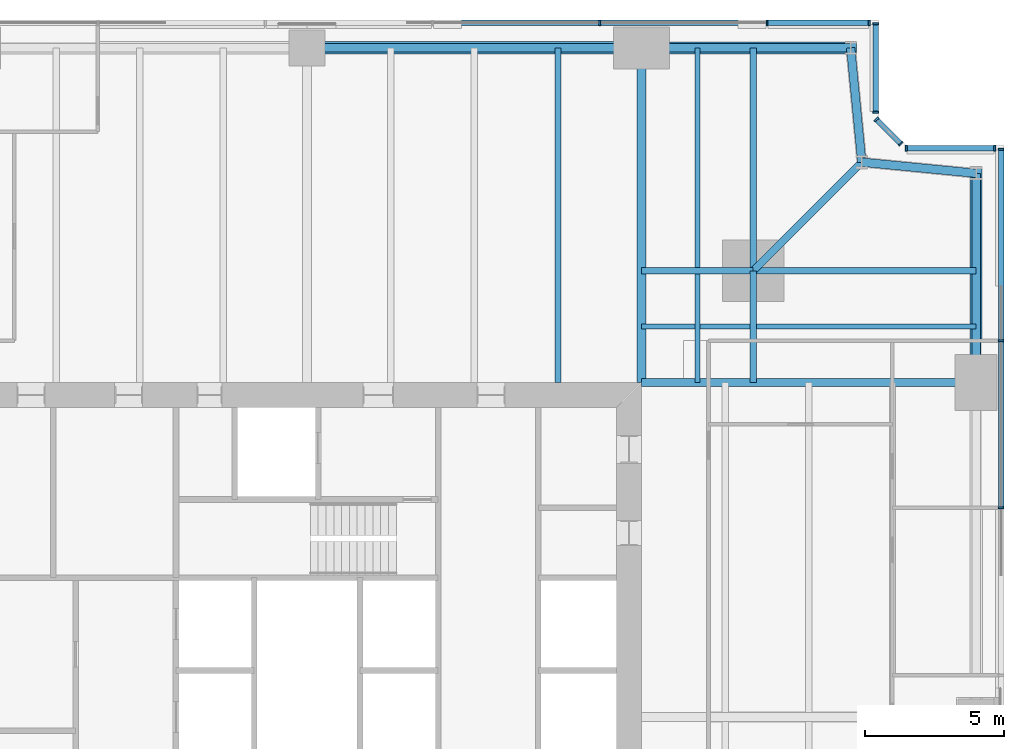
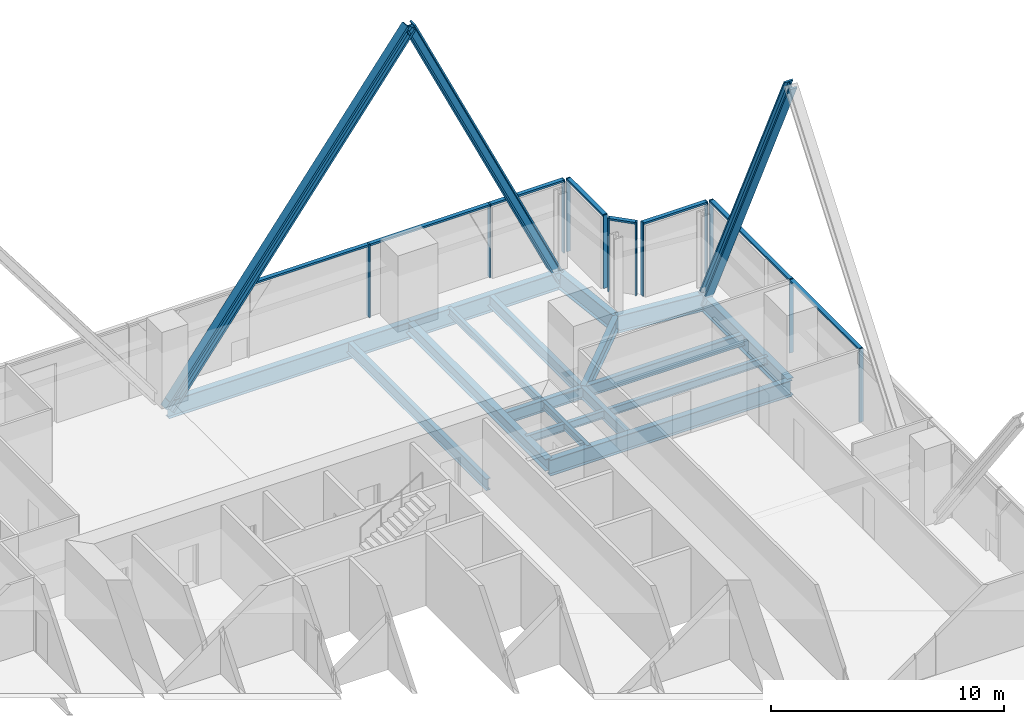
# One storey, part 7 of 13: 23 members, 18 beams, 5 elements without a shape of their own.
"""IFC4 building model written with IfcOpenShell, lengths in metres."""

from ifc_helpers import new_model, si_unit, direction, frame, origin, origin_2d, place, context, subcontext, project, spatial, rectangle, i_section, extrude, material, material_profile, profile_set, type_object, element, aggregate, save


model = new_model("IFC4")

# Units and contexts
model_context = context("Model", 3, precision=1e-05, world=origin(), true_north=direction((0.0, 1.0)))
body_context = subcontext(model_context, "Body", "Model", "MODEL_VIEW")
ifc_project = project(units=[si_unit("LENGTHUNIT", "METRE"), si_unit("AREAUNIT", "SQUARE_METRE"), si_unit("VOLUMEUNIT", "CUBIC_METRE"), si_unit("PLANEANGLEUNIT", "RADIAN"), si_unit("MASSUNIT", "GRAM", prefix="KILO")], contexts=[model_context])

# Site, building, storey
site_placement = place(None, origin())
site = spatial("IfcSite", under=ifc_project, at=site_placement, CompositionType="ELEMENT")
building_placement = place(site_placement, origin())
building = spatial("IfcBuilding", under=site, at=building_placement, Name="Fenwick Lantern Interchange", CompositionType="ELEMENT")
storey_placement = place(building_placement, frame((0.0, 0.0, 146.39990234375)))
storey = spatial("IfcBuildingStorey", under=building, at=storey_placement, Name="L34", CompositionType="ELEMENT", Elevation=146.39990234375)

# Beams
ifc_material_1 = material(Name="Steel ASTM A992 Grade 50", Category="steel")
ifc_material_profile_1 = material_profile(ifc_material_1, i_section(OverallWidth=0.3046875, OverallDepth=0.911865234375, WebThickness=0.015869140625, FlangeThickness=0.02392578125, at=origin_2d()), Name="W36X150")
ifc_profile_set_1 = profile_set([ifc_material_profile_1], Name="Steel ASTM A992 Grade 50")
beam_type_1 = type_object("IfcBeamType", Name="EDGE BEAM W36X150", PredefinedType="SPANDREL", material=ifc_profile_set_1)
beam_1_placement = place(storey_placement, frame((49.0, 37.0, -0.605712890625), z_axis=(0.0, 1.0, 0.0), x_axis=(-1.0, 0.0, 0.0)))
element("IfcBeam", 1, at=beam_1_placement, inside=storey, type_object=beam_type_1, Name="L34/FR/E/EB4", PredefinedType="SPANDREL", context=body_context, shape_type="SweptSolid", body=[
    extrude(i_section(OverallWidth=0.3046875, OverallDepth=0.911865234375, WebThickness=0.015869140625, FlangeThickness=0.02392578125, at=origin_2d()), origin(), (0.0, 0.0, 1.0), 7.5),
])
for number, where, z_axis, x_axis, name in (
    (2, (49.0, 44.5, -0.605712890625), (-0.995277148028, 0.097074191287, 0.0), (-0.097074191287, -0.995277148028, 0.0), "L34/FR/E/EBR1"),
    (3, (44.89990234375, 44.89990234375, -0.605712890625), (-0.097074191287, 0.995277148028, 0.0), (-0.995277148028, -0.097074191287, 0.0), "L34/FR/E/EBR2"),
):
    element("IfcBeam", number, at=place(storey_placement, frame(where, z_axis=z_axis, x_axis=x_axis)), inside=storey, type_object=beam_type_1, Name=name, PredefinedType="SPANDREL", context=body_context, shape_type="SweptSolid", body=[
        extrude(i_section(OverallWidth=0.3046875, OverallDepth=0.911865234375, WebThickness=0.015869140625, FlangeThickness=0.02392578125, at=origin_2d()), origin(), (0.0, 0.0, 1.0), 4.11962890625),
    ])
beam_2_placement = place(storey_placement, frame((44.5, 49.0, -0.605712890625), z_axis=(-1.0, 0.0, 0.0), x_axis=(0.0, -1.0, 0.0)))
element("IfcBeam", 4, at=beam_2_placement, inside=storey, type_object=beam_type_1, Name="L34/FR/N/EB1", PredefinedType="SPANDREL", context=body_context, shape_type="SweptSolid", body=[
    extrude(i_section(OverallWidth=0.3046875, OverallDepth=0.911865234375, WebThickness=0.015869140625, FlangeThickness=0.02392578125, at=origin_2d()), origin(), (0.0, 0.0, 1.0), 7.5),
])
beam_3_placement = place(storey_placement, frame((37.0, 49.0, -0.605712890625), z_axis=(-1.0, 0.0, 0.0), x_axis=(0.0, -1.0, 0.0)))
element("IfcBeam", 5, at=beam_3_placement, inside=storey, type_object=beam_type_1, Name="L34/FR/N/EB2", PredefinedType="SPANDREL", context=body_context, shape_type="SweptSolid", body=[
    extrude(i_section(OverallWidth=0.3046875, OverallDepth=0.911865234375, WebThickness=0.015869140625, FlangeThickness=0.02392578125, at=origin_2d()), origin(), (0.0, 0.0, 1.0), 12.0),
])

# Members
ifc_material_profile_2 = material_profile(ifc_material_1, i_section(OverallWidth=0.424072265625, OverallDepth=0.47509765625, WebThickness=0.0478515625, FlangeThickness=0.0771484375, at=origin_2d()), Name="W14X426")
ifc_profile_set_2 = profile_set([ifc_material_profile_2], Name="Steel ASTM A992 Grade 50")
member_type_1 = type_object("IfcMemberType", Name="FACADE BRACE W14X426", PredefinedType="BRACE", material=ifc_profile_set_2)
for number, where, z_axis, x_axis, name in (
    (6, (49.0, 44.5, -0.605712890625), (0.0, -0.426947906428, 0.904276221736), (1.0, 0.0, 0.0), "L34/FB/E/BE"),
    (7, (44.5, 49.0, -0.605712890625), (-0.426947906428, 0.0, 0.904276221736), (0.0, -1.0, 0.0), "L34/FB/N/AE"),
):
    element("IfcMember", number, at=place(storey_placement, frame(where, z_axis=z_axis, x_axis=x_axis)), inside=storey, type_object=member_type_1, Name=name, PredefinedType="BRACE", context=body_context, shape_type="SweptSolid", body=[
        extrude(i_section(OverallWidth=0.424072265625, OverallDepth=0.47509765625, WebThickness=0.0478515625, FlangeThickness=0.0771484375, at=origin_2d()), origin(), (0.0, 0.0, 1.0), 17.566650390625),
    ])
ifc_material_profile_3 = material_profile(ifc_material_1, i_section(OverallWidth=0.44189453125, OverallDepth=0.53076171875, WebThickness=0.06591796875, FlangeThickness=0.105712890625, at=origin_2d()), Name="W14X605")
ifc_profile_set_3 = profile_set([ifc_material_profile_3], Name="Steel ASTM A992 Grade 50")
member_type_2 = type_object("IfcMemberType", Name="FACADE BRACE W14X605", PredefinedType="BRACE", material=ifc_profile_set_3)
member_1_placement = place(storey_placement, frame((25.0, 49.0, -0.605712890625), z_axis=(0.602768898294, 0.0, 0.797915819651), x_axis=(0.0, 1.0, 0.0)))
element("IfcMember", 8, at=member_1_placement, inside=storey, type_object=member_type_2, Name="L34/FB/N/A", PredefinedType="BRACE", context=body_context, shape_type="SweptSolid", body=[
    extrude(i_section(OverallWidth=0.44189453125, OverallDepth=0.53076171875, WebThickness=0.06591796875, FlangeThickness=0.105712890625, at=origin_2d()), origin(), (0.0, 0.0, 1.0), 19.908203125),
])

# Beams
ifc_material_profile_4 = material_profile(ifc_material_1, i_section(OverallWidth=0.22900390625, OverallDepth=0.612060546875, WebThickness=0.011962890625, FlangeThickness=0.01953125, at=origin_2d()), Name="W24X84")
ifc_profile_set_4 = profile_set([ifc_material_profile_4], Name="Steel ASTM A992 Grade 50")
beam_type_2 = type_object("IfcBeamType", Name="FLOOR BEAM W24X84", PredefinedType="BEAM", material=ifc_profile_set_4)
beam_4_placement = place(storey_placement, frame((34.0, 49.0, -0.4560546875), z_axis=(0.0, -1.0, 0.0), x_axis=(1.0, 0.0, 0.0)))
element("IfcBeam", 9, at=beam_4_placement, inside=storey, type_object=beam_type_2, Name="L34/FR/N/R02", PredefinedType="BEAM", context=body_context, shape_type="SweptSolid", body=[
    extrude(i_section(OverallWidth=0.22900390625, OverallDepth=0.612060546875, WebThickness=0.011962890625, FlangeThickness=0.01953125, at=origin_2d()), origin(), (0.0, 0.0, 1.0), 12.0),
])
ifc_material_profile_5 = material_profile(ifc_material_1, i_section(OverallWidth=0.177734375, OverallDepth=0.406494140625, WebThickness=0.0078125, FlangeThickness=0.012939453125, at=origin_2d()), Name="W16X40")
ifc_profile_set_5 = profile_set([ifc_material_profile_5], Name="Steel ASTM A992 Grade 50")
beam_type_3 = type_object("IfcBeamType", Name="INFILL BEAM W16X40", PredefinedType="JOIST", material=ifc_profile_set_5)
beam_5_placement = place(storey_placement, frame((39.0, 49.0, -0.35302734375), z_axis=(0.0, -1.0, 0.0), x_axis=(1.0, 0.0, 0.0)))
element("IfcBeam", 10, at=beam_5_placement, inside=storey, type_object=beam_type_3, Name="L34/FR/N/J1", PredefinedType="JOIST", context=body_context, shape_type="SweptSolid", body=[
    extrude(i_section(OverallWidth=0.177734375, OverallDepth=0.406494140625, WebThickness=0.0078125, FlangeThickness=0.012939453125, at=origin_2d()), origin(), (0.0, 0.0, 1.0), 7.885498046875),
])
beam_6_placement = place(storey_placement, frame((39.0, 40.885498046875, -0.35302734375), z_axis=(0.0, -1.0, 0.0), x_axis=(1.0, 0.0, 0.0)))
element("IfcBeam", 11, at=beam_6_placement, inside=storey, type_object=beam_type_3, Name="L34/FR/N/J2", PredefinedType="JOIST", context=body_context, shape_type="SweptSolid", body=[
    extrude(i_section(OverallWidth=0.177734375, OverallDepth=0.406494140625, WebThickness=0.0078125, FlangeThickness=0.012939453125, at=origin_2d()), origin(), (0.0, 0.0, 1.0), 3.885498046875),
])
beam_7_placement = place(storey_placement, frame((49.0, 39.0, -0.35302734375), z_axis=(-1.0, 0.0, 0.0), x_axis=(0.0, -1.0, 0.0)))
element("IfcBeam", 12, at=beam_7_placement, inside=storey, type_object=beam_type_3, Name="L34/FR/N/J3", PredefinedType="JOIST", context=body_context, shape_type="SweptSolid", body=[
    extrude(i_section(OverallWidth=0.177734375, OverallDepth=0.406494140625, WebThickness=0.0078125, FlangeThickness=0.012939453125, at=origin_2d()), origin(), (0.0, 0.0, 1.0), 7.885498046875),
])
beam_8_placement = place(storey_placement, frame((40.885498046875, 39.0, -0.35302734375), z_axis=(-1.0, 0.0, 0.0), x_axis=(0.0, -1.0, 0.0)))
element("IfcBeam", 13, at=beam_8_placement, inside=storey, type_object=beam_type_3, Name="L34/FR/N/J4", PredefinedType="JOIST", context=body_context, shape_type="SweptSolid", body=[
    extrude(i_section(OverallWidth=0.177734375, OverallDepth=0.406494140625, WebThickness=0.0078125, FlangeThickness=0.012939453125, at=origin_2d()), origin(), (0.0, 0.0, 1.0), 1.796630859375),
])
beam_9_placement = place(storey_placement, frame((38.9111328125, 39.0, -0.35302734375), z_axis=(-1.0, 0.0, 0.0), x_axis=(0.0, -1.0, 0.0)))
element("IfcBeam", 14, at=beam_9_placement, inside=storey, type_object=beam_type_3, Name="L34/FR/N/J5", PredefinedType="JOIST", context=body_context, shape_type="SweptSolid", body=[
    extrude(i_section(OverallWidth=0.177734375, OverallDepth=0.406494140625, WebThickness=0.0078125, FlangeThickness=0.012939453125, at=origin_2d()), origin(), (0.0, 0.0, 1.0), 1.9111328125),
])
ifc_material_profile_6 = material_profile(ifc_material_1, i_section(OverallWidth=0.22900390625, OverallDepth=0.612060546875, WebThickness=0.011962890625, FlangeThickness=0.01953125, at=origin_2d()), Name="W24X84")
ifc_profile_set_6 = profile_set([ifc_material_profile_6], Name="Steel ASTM A992 Grade 50")
beam_type_4 = type_object("IfcBeamType", Name="MEGA COLUMN BEAM W24X84", PredefinedType="BEAM", material=ifc_profile_set_6)
for number, where, z_axis, x_axis, name in (
    (15, (41.0, 41.0, -0.4560546875), (0.0, 1.0, 0.0), (-1.0, 0.0, 0.0), "L34/FR/N/MB1"),
    (16, (41.0, 41.0, -0.4560546875), (1.0, 0.0, 0.0), (0.0, 1.0, 0.0), "L34/FR/N/MB2"),
):
    element("IfcBeam", number, at=place(storey_placement, frame(where, z_axis=z_axis, x_axis=x_axis)), inside=storey, type_object=beam_type_4, Name=name, PredefinedType="BEAM", context=body_context, shape_type="SweptSolid", body=[
        extrude(i_section(OverallWidth=0.22900390625, OverallDepth=0.612060546875, WebThickness=0.011962890625, FlangeThickness=0.01953125, at=origin_2d()), origin(), (0.0, 0.0, 1.0), 8.0),
    ])
for number, where, z_axis, x_axis, name in (
    (17, (41.0, 41.0, -0.4560546875), (-1.0, 0.0, 0.0), (0.0, -1.0, 0.0), "L34/FR/N/MB3"),
    (18, (41.0, 41.0, -0.4560546875), (0.0, -1.0, 0.0), (1.0, 0.0, 0.0), "L34/FR/N/MB4"),
):
    element("IfcBeam", number, at=place(storey_placement, frame(where, z_axis=z_axis, x_axis=x_axis)), inside=storey, type_object=beam_type_4, Name=name, PredefinedType="BEAM", context=body_context, shape_type="SweptSolid", body=[
        extrude(i_section(OverallWidth=0.22900390625, OverallDepth=0.612060546875, WebThickness=0.011962890625, FlangeThickness=0.01953125, at=origin_2d()), origin(), (0.0, 0.0, 1.0), 4.0),
    ])
ifc_material_profile_7 = material_profile(ifc_material_1, i_section(OverallWidth=0.32763671875, OverallDepth=0.622314453125, WebThickness=0.015380859375, FlangeThickness=0.0244140625, at=origin_2d()), Name="W24X131")
ifc_profile_set_7 = profile_set([ifc_material_profile_7], Name="Steel ASTM A992 Grade 50")
beam_type_5 = type_object("IfcBeamType", Name="MOMENT-CONNECTED GIRDER W24X131", PredefinedType="BEAM", material=ifc_profile_set_7)
beam_10_placement = place(storey_placement, frame((37.0, 49.0, -0.4609375), z_axis=(0.0, -1.0, 0.0), x_axis=(1.0, 0.0, 0.0)))
element("IfcBeam", 19, at=beam_10_placement, inside=storey, type_object=beam_type_5, Name="L34/FR/N/R01", PredefinedType="BEAM", context=body_context, shape_type="SweptSolid", body=[
    extrude(i_section(OverallWidth=0.32763671875, OverallDepth=0.622314453125, WebThickness=0.015380859375, FlangeThickness=0.0244140625, at=origin_2d()), origin(), (0.0, 0.0, 1.0), 12.0),
])
ifc_material_profile_8 = material_profile(ifc_material_1, i_section(OverallWidth=0.2919921875, OverallDepth=0.845703125, WebThickness=0.015380859375, FlangeThickness=0.0244140625, at=origin_2d()), Name="W33X141")
ifc_profile_set_8 = profile_set([ifc_material_profile_8], Name="Steel ASTM A992 Grade 50")
beam_type_6 = type_object("IfcBeamType", Name="MOMENT-CONNECTED GIRDER W33X141", PredefinedType="BEAM", material=ifc_profile_set_8)
beam_11_placement = place(storey_placement, frame((49.0, 37.0, -0.57275390625), z_axis=(-1.0, 0.0, 0.0), x_axis=(0.0, -1.0, 0.0)))
element("IfcBeam", 20, at=beam_11_placement, inside=storey, type_object=beam_type_6, Name="L34/FR/E/R03", PredefinedType="BEAM", context=body_context, shape_type="SweptSolid", body=[
    extrude(i_section(OverallWidth=0.2919921875, OverallDepth=0.845703125, WebThickness=0.015380859375, FlangeThickness=0.0244140625, at=origin_2d()), origin(), (0.0, 0.0, 1.0), 12.0),
])
ifc_material_profile_9 = material_profile(ifc_material_1, i_section(OverallWidth=0.2666015625, OverallDepth=0.7568359375, WebThickness=0.013916015625, FlangeThickness=0.019287109375, at=origin_2d()), Name="W30X108")
ifc_profile_set_9 = profile_set([ifc_material_profile_9], Name="Steel ASTM A992 Grade 50")
beam_type_7 = type_object("IfcBeamType", Name="NOTCH BEAM W30X108", PredefinedType="BEAM", material=ifc_profile_set_9)
beam_12_placement = place(storey_placement, frame((41.0, 41.0, -0.5283203125), z_axis=(0.707106781187, 0.707106781187, 0.0), x_axis=(-0.707106781187, 0.707106781187, 0.0)))
element("IfcBeam", 21, at=beam_12_placement, inside=storey, type_object=beam_type_7, Name="L34/FR/N/TG", PredefinedType="BEAM", context=body_context, shape_type="SweptSolid", body=[
    extrude(i_section(OverallWidth=0.2666015625, OverallDepth=0.7568359375, WebThickness=0.013916015625, FlangeThickness=0.019287109375, at=origin_2d()), origin(), (0.0, 0.0, 1.0), 5.515380859375),
])

# Curtain wall, members
ifc_material_2 = material(Name="Aluminium curtain wall frame", Category="aluminium")
curtain_wall_type = type_object("IfcCurtainWallType", Name="OFFICE CURTAIN WALL", PredefinedType="USERDEFINED", material=ifc_material_2)
curtain_wall_1_placement = place(storey_placement, origin())
curtain_wall_1 = element("IfcCurtainWall", 22, at=curtain_wall_1_placement, inside=storey, type_object=curtain_wall_type, Name="Office curtain wall 05", ObjectType="OFFICE CURTAIN WALL", PredefinedType="USERDEFINED")
ifc_material_3 = material(Name="Aluminium extrusion", Category="aluminium")
ifc_material_profile_10 = material_profile(ifc_material_3, rectangle(XDim=0.199951171875, YDim=0.06494140625, at=origin_2d()), Name="OFFICE CURTAIN WALL MULLION 65 X 200")
ifc_profile_set_10 = profile_set([ifc_material_profile_10], Name="Aluminium extrusion")
member_type_3 = type_object("IfcMemberType", Name="OFFICE CURTAIN WALL MULLION 65 X 200", PredefinedType="MULLION", material=ifc_profile_set_10)
member_2_placement = place(storey_placement, frame((49.89990234375, 32.5, 0.0), z_axis=(0.0, 0.0, 1.0), x_axis=(-1.0, 0.0, 0.0)))
member_2 = element("IfcMember", 23, at=member_2_placement, type_object=member_type_3, Name="L34/CW/05/M05", PredefinedType="MULLION", context=body_context, shape_type="SweptSolid", body=[
    extrude(rectangle(XDim=0.199951171875, YDim=0.06494140625, at=origin_2d()), origin(), (0.0, 0.0, 1.0), 3.85009765625),
])
member_3_placement = place(storey_placement, frame((49.89990234375, 38.5, 0.0), z_axis=(0.0, 0.0, 1.0), x_axis=(-1.0, 0.0, 0.0)))
member_3 = element("IfcMember", 24, at=member_3_placement, type_object=member_type_3, Name="L34/CW/05/M06", PredefinedType="MULLION", context=body_context, shape_type="SweptSolid", body=[
    extrude(rectangle(XDim=0.199951171875, YDim=0.06494140625, at=origin_2d()), origin(), (0.0, 0.0, 1.0), 3.85009765625),
])
member_4_placement = place(storey_placement, frame((49.89990234375, 45.367431640625, 0.0), z_axis=(0.0, 0.0, 1.0), x_axis=(-1.0, 0.0, 0.0)))
member_4 = element("IfcMember", 25, at=member_4_placement, type_object=member_type_3, Name="L34/CW/05/M07", PredefinedType="MULLION", context=body_context, shape_type="SweptSolid", body=[
    extrude(rectangle(XDim=0.199951171875, YDim=0.06494140625, at=origin_2d()), origin(), (0.0, 0.0, 1.0), 3.85009765625),
])

curtain_wall_2_placement = place(storey_placement, origin())
curtain_wall_2 = element("IfcCurtainWall", 26, at=curtain_wall_2_placement, inside=storey, type_object=curtain_wall_type, Name="Office curtain wall 06", ObjectType="OFFICE CURTAIN WALL", PredefinedType="USERDEFINED")
member_5_placement = place(storey_placement, frame((49.66748046875, 45.39990234375, 0.0), z_axis=(0.0, 0.0, 1.0), x_axis=(0.0, -1.0, 0.0)))
member_5 = element("IfcMember", 27, at=member_5_placement, type_object=member_type_3, Name="L34/CW/06/M00", PredefinedType="MULLION", context=body_context, shape_type="SweptSolid", body=[
    extrude(rectangle(XDim=0.199951171875, YDim=0.06494140625, at=origin_2d()), origin(), (0.0, 0.0, 1.0), 3.85009765625),
])
member_6_placement = place(storey_placement, frame((46.490966796875, 45.39990234375, 0.0), z_axis=(0.0, 0.0, 1.0), x_axis=(0.0, -1.0, 0.0)))
member_6 = element("IfcMember", 28, at=member_6_placement, type_object=member_type_3, Name="L34/CW/06/M01", PredefinedType="MULLION", context=body_context, shape_type="SweptSolid", body=[
    extrude(rectangle(XDim=0.199951171875, YDim=0.06494140625, at=origin_2d()), origin(), (0.0, 0.0, 1.0), 3.85009765625),
])

curtain_wall_3_placement = place(storey_placement, origin())
curtain_wall_3 = element("IfcCurtainWall", 29, at=curtain_wall_3_placement, inside=storey, type_object=curtain_wall_type, Name="Office curtain wall 07", ObjectType="OFFICE CURTAIN WALL", PredefinedType="USERDEFINED")
member_7_placement = place(storey_placement, frame((46.294189453125, 45.564453125, 0.0), z_axis=(0.0, 0.0, 1.0), x_axis=(-0.707106781187, -0.707106781187, 0.0)))
member_7 = element("IfcMember", 30, at=member_7_placement, type_object=member_type_3, Name="L34/CW/07/M00", PredefinedType="MULLION", context=body_context, shape_type="SweptSolid", body=[
    extrude(rectangle(XDim=0.199951171875, YDim=0.06494140625, at=origin_2d()), origin(), (0.0, 0.0, 1.0), 3.85009765625),
])
member_8_placement = place(storey_placement, frame((45.423095703125, 46.435546875, 0.0), z_axis=(0.0, 0.0, 1.0), x_axis=(-0.707106781187, -0.707106781187, 0.0)))
member_8 = element("IfcMember", 31, at=member_8_placement, type_object=member_type_3, Name="L34/CW/07/M01", PredefinedType="MULLION", context=body_context, shape_type="SweptSolid", body=[
    extrude(rectangle(XDim=0.199951171875, YDim=0.06494140625, at=origin_2d()), origin(), (0.0, 0.0, 1.0), 3.85009765625),
])

curtain_wall_4_placement = place(storey_placement, origin())
curtain_wall_4 = element("IfcCurtainWall", 32, at=curtain_wall_4_placement, inside=storey, type_object=curtain_wall_type, Name="Office curtain wall 08", ObjectType="OFFICE CURTAIN WALL", PredefinedType="USERDEFINED")
member_9_placement = place(storey_placement, frame((45.39990234375, 46.691162109375, 0.0), z_axis=(0.0, 0.0, 1.0), x_axis=(-1.0, 0.0, 0.0)))
member_9 = element("IfcMember", 33, at=member_9_placement, type_object=member_type_3, Name="L34/CW/08/M00", PredefinedType="MULLION", context=body_context, shape_type="SweptSolid", body=[
    extrude(rectangle(XDim=0.199951171875, YDim=0.06494140625, at=origin_2d()), origin(), (0.0, 0.0, 1.0), 3.85009765625),
])
member_10_placement = place(storey_placement, frame((45.39990234375, 49.867431640625, 0.0), z_axis=(0.0, 0.0, 1.0), x_axis=(-1.0, 0.0, 0.0)))
member_10 = element("IfcMember", 34, at=member_10_placement, type_object=member_type_3, Name="L34/CW/08/M01", PredefinedType="MULLION", context=body_context, shape_type="SweptSolid", body=[
    extrude(rectangle(XDim=0.199951171875, YDim=0.06494140625, at=origin_2d()), origin(), (0.0, 0.0, 1.0), 3.85009765625),
])

curtain_wall_5_placement = place(storey_placement, origin())
curtain_wall_5 = element("IfcCurtainWall", 35, at=curtain_wall_5_placement, inside=storey, type_object=curtain_wall_type, Name="Office curtain wall 09", ObjectType="OFFICE CURTAIN WALL", PredefinedType="USERDEFINED")
member_11_placement = place(storey_placement, frame((45.16748046875, 49.89990234375, 0.0), z_axis=(0.0, 0.0, 1.0), x_axis=(0.0, -1.0, 0.0)))
member_11 = element("IfcMember", 36, at=member_11_placement, type_object=member_type_3, Name="L34/CW/09/M00", PredefinedType="MULLION", context=body_context, shape_type="SweptSolid", body=[
    extrude(rectangle(XDim=0.199951171875, YDim=0.06494140625, at=origin_2d()), origin(), (0.0, 0.0, 1.0), 3.85009765625),
])
member_12_placement = place(storey_placement, frame((41.5, 49.89990234375, 0.0), z_axis=(0.0, 0.0, 1.0), x_axis=(0.0, -1.0, 0.0)))
member_12 = element("IfcMember", 37, at=member_12_placement, type_object=member_type_3, Name="L34/CW/09/M01", PredefinedType="MULLION", context=body_context, shape_type="SweptSolid", body=[
    extrude(rectangle(XDim=0.199951171875, YDim=0.06494140625, at=origin_2d()), origin(), (0.0, 0.0, 1.0), 3.85009765625),
])
member_13_placement = place(storey_placement, frame((35.5, 49.89990234375, 0.0), z_axis=(0.0, 0.0, 1.0), x_axis=(0.0, -1.0, 0.0)))
member_13 = element("IfcMember", 38, at=member_13_placement, type_object=member_type_3, Name="L34/CW/09/M02", PredefinedType="MULLION", context=body_context, shape_type="SweptSolid", body=[
    extrude(rectangle(XDim=0.199951171875, YDim=0.06494140625, at=origin_2d()), origin(), (0.0, 0.0, 1.0), 3.85009765625),
])

# Member
ifc_material_profile_11 = material_profile(ifc_material_3, rectangle(XDim=0.199951171875, YDim=0.10009765625, at=origin_2d()), Name="OFFICE CURTAIN WALL TRANSOM 100 X 200")
ifc_profile_set_11 = profile_set([ifc_material_profile_11], Name="Aluminium extrusion")
member_type_4 = type_object("IfcMemberType", Name="OFFICE CURTAIN WALL TRANSOM 100 X 200", PredefinedType="MULLION", material=ifc_profile_set_11)
member_14_placement = place(storey_placement, frame((49.89990234375, 32.532470703125, 3.800048828125), z_axis=(0.0, 1.0, 0.0), x_axis=(-1.0, 0.0, 0.0)))
member_14 = element("IfcMember", 39, at=member_14_placement, type_object=member_type_4, Name="L34/CW/05/T05", PredefinedType="MULLION", context=body_context, shape_type="SweptSolid", body=[
    extrude(rectangle(XDim=0.199951171875, YDim=0.10009765625, at=origin_2d()), origin(), (0.0, 0.0, 1.0), 5.93505859375),
])

member_15_placement = place(storey_placement, frame((49.89990234375, 38.532470703125, 3.800048828125), z_axis=(0.0, 1.0, 0.0), x_axis=(-1.0, 0.0, 0.0)))
member_15 = element("IfcMember", 40, at=member_15_placement, type_object=member_type_4, Name="L34/CW/05/T06", PredefinedType="MULLION", context=body_context, shape_type="SweptSolid", body=[
    extrude(rectangle(XDim=0.199951171875, YDim=0.10009765625, at=origin_2d()), origin(), (0.0, 0.0, 1.0), 6.802490234375),
])

aggregate(curtain_wall_1, [member_2, member_3, member_4, member_14, member_15])

member_16_placement = place(storey_placement, frame((49.635009765625, 45.39990234375, 3.800048828125), z_axis=(-1.0, 0.0, 0.0), x_axis=(0.0, -1.0, 0.0)))
member_16 = element("IfcMember", 41, at=member_16_placement, type_object=member_type_4, Name="L34/CW/06/T00", PredefinedType="MULLION", context=body_context, shape_type="SweptSolid", body=[
    extrude(rectangle(XDim=0.199951171875, YDim=0.10009765625, at=origin_2d()), origin(), (0.0, 0.0, 1.0), 3.111328125),
])

aggregate(curtain_wall_2, [member_5, member_6, member_16])

member_17_placement = place(storey_placement, frame((46.271240234375, 45.58740234375, 3.800048828125), z_axis=(-0.707106781187, 0.707106781187, 0.0), x_axis=(-0.707106781187, -0.707106781187, 0.0)))
member_17 = element("IfcMember", 42, at=member_17_placement, type_object=member_type_4, Name="L34/CW/07/T00", PredefinedType="MULLION", context=body_context, shape_type="SweptSolid", body=[
    extrude(rectangle(XDim=0.199951171875, YDim=0.10009765625, at=origin_2d()), origin(), (0.0, 0.0, 1.0), 1.1669921875),
])

aggregate(curtain_wall_3, [member_7, member_8, member_17])

member_18_placement = place(storey_placement, frame((45.39990234375, 46.7236328125, 3.800048828125), z_axis=(0.0, 1.0, 0.0), x_axis=(-1.0, 0.0, 0.0)))
member_18 = element("IfcMember", 43, at=member_18_placement, type_object=member_type_4, Name="L34/CW/08/T00", PredefinedType="MULLION", context=body_context, shape_type="SweptSolid", body=[
    extrude(rectangle(XDim=0.199951171875, YDim=0.10009765625, at=origin_2d()), origin(), (0.0, 0.0, 1.0), 3.111328125),
])

aggregate(curtain_wall_4, [member_9, member_10, member_18])

member_19_placement = place(storey_placement, frame((45.135009765625, 49.89990234375, 3.800048828125), z_axis=(-1.0, 0.0, 0.0), x_axis=(0.0, -1.0, 0.0)))
member_19 = element("IfcMember", 44, at=member_19_placement, type_object=member_type_4, Name="L34/CW/09/T00", PredefinedType="MULLION", context=body_context, shape_type="SweptSolid", body=[
    extrude(rectangle(XDim=0.199951171875, YDim=0.10009765625, at=origin_2d()), origin(), (0.0, 0.0, 1.0), 3.6025390625),
])

member_20_placement = place(storey_placement, frame((41.467529296875, 49.89990234375, 3.800048828125), z_axis=(-1.0, 0.0, 0.0), x_axis=(0.0, -1.0, 0.0)))
member_20 = element("IfcMember", 45, at=member_20_placement, type_object=member_type_4, Name="L34/CW/09/T01", PredefinedType="MULLION", context=body_context, shape_type="SweptSolid", body=[
    extrude(rectangle(XDim=0.199951171875, YDim=0.10009765625, at=origin_2d()), origin(), (0.0, 0.0, 1.0), 5.93505859375),
])

member_21_placement = place(storey_placement, frame((35.467529296875, 49.89990234375, 3.800048828125), z_axis=(-1.0, 0.0, 0.0), x_axis=(0.0, -1.0, 0.0)))
member_21 = element("IfcMember", 46, at=member_21_placement, type_object=member_type_4, Name="L34/CW/09/T02", PredefinedType="MULLION", context=body_context, shape_type="SweptSolid", body=[
    extrude(rectangle(XDim=0.199951171875, YDim=0.10009765625, at=origin_2d()), origin(), (0.0, 0.0, 1.0), 5.93505859375),
])

aggregate(curtain_wall_5, [member_11, member_12, member_13, member_19, member_20, member_21])

save(model, "model.ifc")
